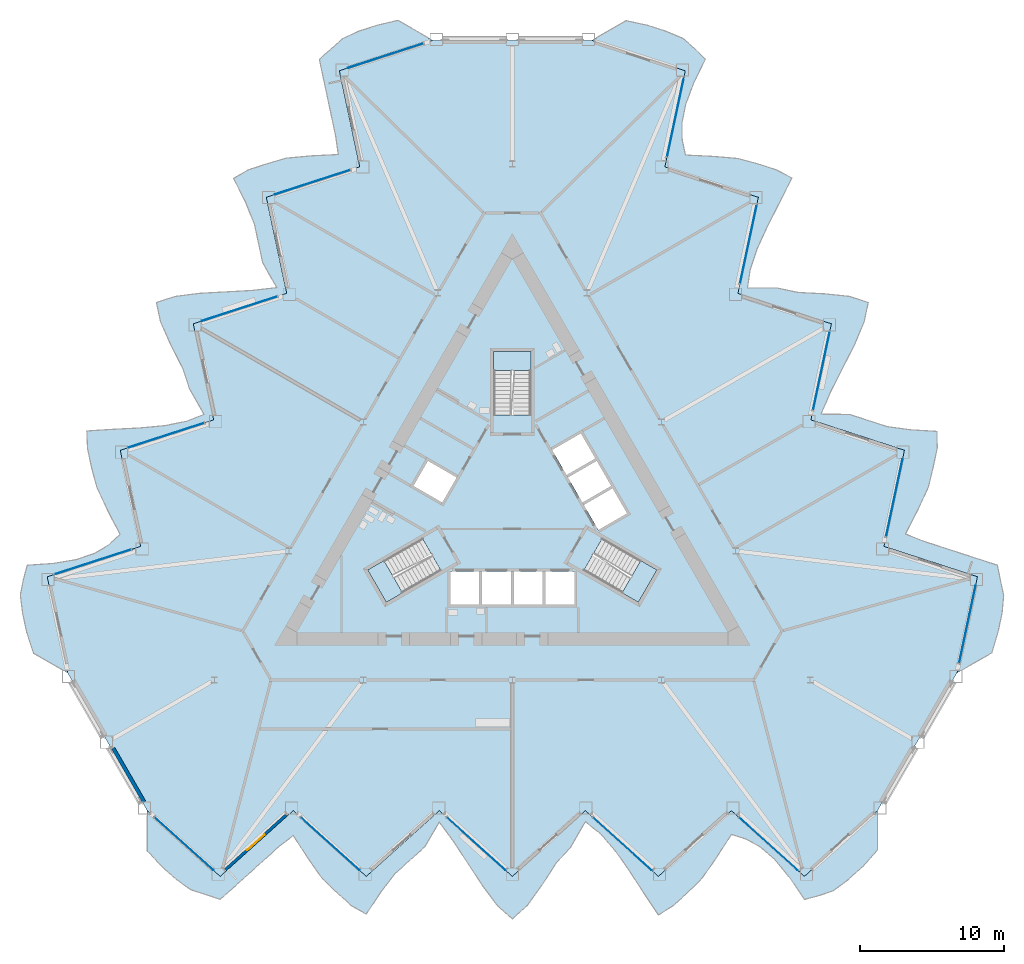
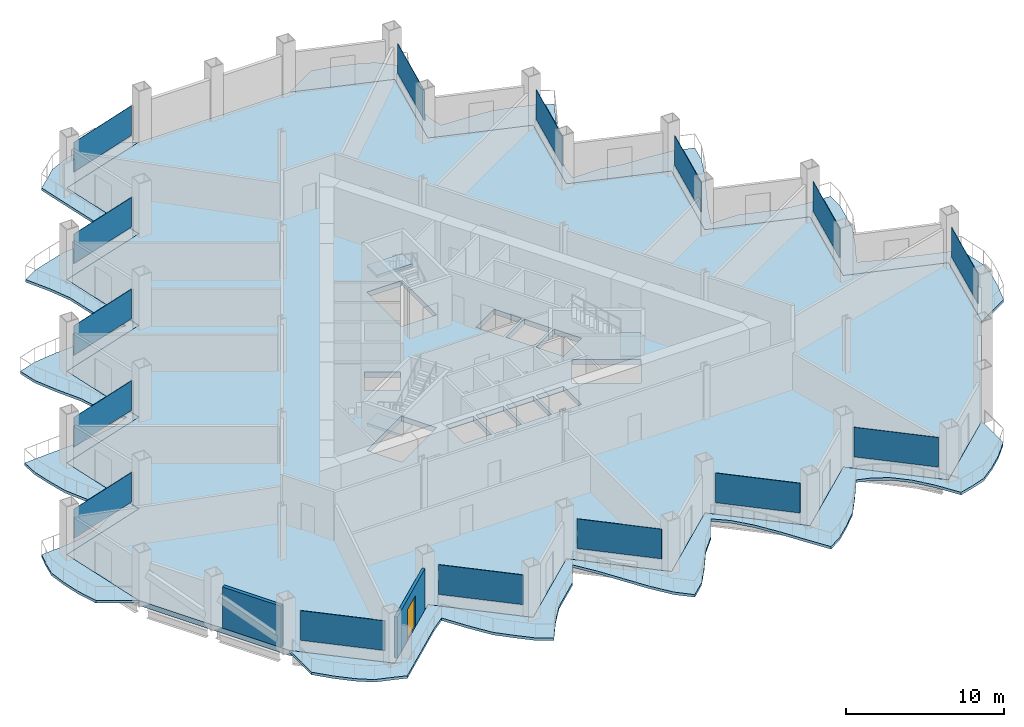
# One storey, part 9 of 21: 15 plates, 7 slabs, 2 walls, 1 door, 1 opening, 18 elements without a shape of their own.
"""IFC4 building model written with IfcOpenShell, lengths in metres."""

from ifc_helpers import new_model, si_unit, direction, frame, frame_2d, origin, origin_2d, place, context, subcontext, project, spatial, polyline, rectangle, outline, extrude, material, layer, layer_set, type_object, element, fill, aggregate, save


model = new_model("IFC4")

# Units and contexts
model_context = context("Model", 3, precision=1e-05, world=origin(), true_north=direction((0.0, 1.0)))
body_context = subcontext(model_context, "Body", "Model", "MODEL_VIEW")
ifc_project = project(units=[si_unit("LENGTHUNIT", "METRE"), si_unit("AREAUNIT", "SQUARE_METRE"), si_unit("VOLUMEUNIT", "CUBIC_METRE"), si_unit("PLANEANGLEUNIT", "RADIAN"), si_unit("MASSUNIT", "GRAM", prefix="KILO")], contexts=[model_context])

# Site, building, storey
site_placement = place(None, origin())
site = spatial("IfcSite", under=ifc_project, at=site_placement, CompositionType="ELEMENT")
building_placement = place(site_placement, origin())
building = spatial("IfcBuilding", under=site, at=building_placement, Name="Cormorant Prow Tower", CompositionType="ELEMENT")
storey_placement = place(building_placement, frame((0.0, 0.0, 137.39990234375)))
storey = spatial("IfcBuildingStorey", under=building, at=storey_placement, Name="L29", CompositionType="ELEMENT", Elevation=137.39990234375)

# Slabs
ifc_material_1 = material(Name="Concrete C40/50", Category="concrete")
ifc_layer_1 = layer(ifc_material_1, 0.199951171875)
ifc_layer_set_1 = layer_set([ifc_layer_1], Name="Concrete C40/50")
slab_type_1 = type_object("IfcSlabType", Name="Balcony slab 200", PredefinedType="FLOOR", material=ifc_layer_set_1)
slab_1_placement = place(storey_placement, frame((0.0, 0.0, -0.199951171875)))
element("IfcSlab", 1, at=slab_1_placement, inside=storey, type_object=slab_type_1, Name="Balcony slab S L29", PredefinedType="FLOOR", context=body_context, shape_type="SweptSolid", body=[
    extrude(outline(polyline([(-25.322509765625, -20.988037109375), (-25.322509765625, -23.77197265625), (-24.309814453125, -24.85009765625), (-23.296875, -25.761962890625), (-22.283935546875, -26.4765625), (-21.27099609375, -26.802978515625), (-20.258056640625, -27.148193359375), (-19.2451171875, -26.236083984375), (-18.232177734375, -25.323974609375), (-17.219482421875, -24.412109375), (-16.20654296875, -23.5), (-15.193603515625, -22.70703125), (-14.1806640625, -24.275146484375), (-13.167724609375, -25.71044921875), (-12.15478515625, -26.674072265625), (-11.141845703125, -27.586181640625), (-10.129150390625, -28.164794921875), (-9.1162109375, -26.63037109375), (-8.103271484375, -25.323974609375), (-7.09033203125, -24.412109375), (-6.077392578125, -23.5), (-5.064453125, -21.787841796875), (-4.051513671875, -23.156494140625), (-3.038818359375, -24.705078125), (-2.02587890625, -26.255615234375), (-1.012939453125, -27.586181640625), (0.0, -28.498046875), (1.012939453125, -27.586181640625), (2.02587890625, -26.191162109375), (3.038818359375, -24.631591796875), (4.051513671875, -23.5), (5.064453125, -21.7548828125), (6.077392578125, -22.55615234375), (7.09033203125, -23.705322265625), (8.103271484375, -25.13623046875), (9.1162109375, -26.703369140625), (10.129150390625, -28.223876953125), (11.141845703125, -27.586181640625), (12.15478515625, -26.674072265625), (13.167724609375, -25.66455078125), (14.1806640625, -24.206298828125), (15.193603515625, -22.634521484375), (16.20654296875, -22.957763671875), (17.219482421875, -23.5166015625), (18.232177734375, -24.40966796875), (19.2451171875, -25.642578125), (20.258056640625, -27.148193359375), (21.27099609375, -26.87451171875), (22.283935546875, -26.52880859375), (23.296875, -25.761962890625), (24.309814453125, -24.85009765625), (25.322509765625, -23.718505859375), (25.322509765625, -20.988037109375), (24.309814453125, -21.900146484375), (23.296875, -22.81201171875), (22.283935546875, -23.72412109375), (21.27099609375, -24.63623046875), (20.258056640625, -25.548095703125), (19.2451171875, -24.63623046875), (18.232177734375, -23.72412109375), (17.219482421875, -22.81201171875), (16.20654296875, -21.900146484375), (15.193603515625, -20.988037109375), (14.1806640625, -21.900146484375), (13.167724609375, -22.81201171875), (12.15478515625, -23.72412109375), (11.141845703125, -24.63623046875), (10.129150390625, -25.548095703125), (9.1162109375, -24.63623046875), (8.103271484375, -23.72412109375), (7.09033203125, -22.81201171875), (6.077392578125, -21.900146484375), (5.064453125, -20.988037109375), (4.051513671875, -21.900146484375), (3.038818359375, -22.81201171875), (2.02587890625, -23.72412109375), (1.012939453125, -24.63623046875), (0.0, -25.548095703125), (-1.012939453125, -24.63623046875), (-2.02587890625, -23.72412109375), (-3.038818359375, -22.81201171875), (-4.051513671875, -21.900146484375), (-5.064453125, -20.988037109375), (-6.077392578125, -21.900146484375), (-7.09033203125, -22.81201171875), (-8.103271484375, -23.72412109375), (-9.1162109375, -24.63623046875), (-10.129150390625, -25.548095703125), (-11.141845703125, -24.63623046875), (-12.15478515625, -23.72412109375), (-13.167724609375, -22.81201171875), (-14.1806640625, -21.900146484375), (-15.193603515625, -20.988037109375), (-16.20654296875, -21.900146484375), (-17.219482421875, -22.81201171875), (-18.232177734375, -23.72412109375), (-19.2451171875, -24.63623046875), (-20.258056640625, -25.548095703125), (-21.27099609375, -24.63623046875), (-22.283935546875, -23.72412109375), (-23.296875, -22.81201171875), (-24.309814453125, -21.900146484375), (-25.322509765625, -20.988037109375)])), origin(), (0.0, 0.0, 1.0), 0.199951171875),
])
slab_2_placement = place(storey_placement, frame((0.0, 0.0, -0.199951171875)))
element("IfcSlab", 2, at=slab_2_placement, inside=storey, type_object=slab_type_1, Name="Balcony slab ENE L29", PredefinedType="FLOOR", context=body_context, shape_type="SweptSolid", body=[
    extrude(outline(polyline([(30.83740234375, -11.43603515625), (33.248291015625, -10.0439453125), (33.675537109375, -8.627685546875), (33.958984375, -7.294677734375), (34.0712890625, -6.06005859375), (33.84765625, -5.019775390625), (33.64013671875, -3.969970703125), (32.34375, -3.548828125), (31.04736328125, -3.127685546875), (29.751220703125, -2.706298828125), (28.454833984375, -2.28515625), (27.26171875, -1.804443359375), (28.11328125, -0.143310546875), (28.849853515625, 1.45166015625), (29.177978515625, 2.810546875), (29.461181640625, 4.143798828125), (29.4560546875, 5.310546875), (27.62060546875, 5.42041015625), (25.98291015625, 5.64453125), (24.6865234375, 6.065673828125), (23.390380859375, 6.48681640625), (21.401123046875, 6.508056640625), (22.080078125, 8.069580078125), (22.91455078125, 9.720947265625), (23.7509765625, 11.37353515625), (24.396728515625, 12.915771484375), (24.68017578125, 14.2490234375), (23.3837890625, 14.670166015625), (21.66943359375, 14.85009765625), (19.812255859375, 14.947509765625), (18.325927734375, 15.2587890625), (16.30810546875, 15.263427734375), (16.49560546875, 16.541259765625), (16.984375, 17.9931640625), (17.717041015625, 19.585693359375), (18.56787109375, 21.24658203125), (19.378173828125, 22.884033203125), (18.3193359375, 23.4423828125), (17.02294921875, 23.863525390625), (15.642333984375, 24.23583984375), (13.873046875, 24.384033203125), (12.00537109375, 24.475341796875), (11.77880859375, 25.51416015625), (11.756103515625, 26.670654296875), (12.023193359375, 27.994384765625), (12.58447265625, 29.488037109375), (13.3818359375, 31.1181640625), (12.638427734375, 31.8583984375), (11.832763671875, 32.562744140625), (10.662109375, 33.056640625), (9.365966796875, 33.477783203125), (7.87939453125, 33.789306640625), (5.514892578125, 32.424072265625), (6.81103515625, 32.0029296875), (8.107421875, 31.58154296875), (9.40380859375, 31.160400390625), (10.699951171875, 30.7392578125), (11.996337890625, 30.318115234375), (11.712890625, 28.98486328125), (11.429443359375, 27.651611328125), (11.146240234375, 26.318359375), (10.86279296875, 24.9853515625), (10.579345703125, 23.652099609375), (11.875732421875, 23.230712890625), (13.171875, 22.8095703125), (14.46826171875, 22.388427734375), (15.7646484375, 21.96728515625), (17.060791015625, 21.546142578125), (16.77734375, 20.212890625), (16.494140625, 18.879638671875), (16.210693359375, 17.54638671875), (15.92724609375, 16.213134765625), (15.643798828125, 14.880126953125), (16.940185546875, 14.458740234375), (18.236572265625, 14.03759765625), (19.53271484375, 13.616455078125), (20.8291015625, 13.1953125), (22.125244140625, 12.774169921875), (21.842041015625, 11.44091796875), (21.55859375, 10.107666015625), (21.275146484375, 8.7744140625), (20.99169921875, 7.441162109375), (20.70849609375, 6.10791015625), (22.004638671875, 5.686767578125), (23.301025390625, 5.265625), (24.59716796875, 4.844482421875), (25.8935546875, 4.42333984375), (27.18994140625, 4.001953125), (26.906494140625, 2.6689453125), (26.623046875, 1.335693359375), (26.339599609375, 0.00244140625), (26.056396484375, -1.330810546875), (25.77294921875, -2.6640625), (27.0693359375, -3.085205078125), (28.365478515625, -3.50634765625), (29.661865234375, -3.927490234375), (30.9580078125, -4.348876953125), (32.25439453125, -4.77001953125), (31.970947265625, -6.103271484375), (31.6875, -7.436279296875), (31.404296875, -8.76953125), (31.120849609375, -10.102783203125), (30.83740234375, -11.43603515625)])), origin(), (0.0, 0.0, 1.0), 0.199951171875),
])
slab_3_placement = place(storey_placement, frame((0.0, 0.0, -0.199951171875)))
element("IfcSlab", 3, at=slab_3_placement, inside=storey, type_object=slab_type_1, Name="Balcony slab WNW L29", PredefinedType="FLOOR", context=body_context, shape_type="SweptSolid", body=[
    extrude(outline(polyline([(-5.514892578125, 32.424072265625), (-7.92578125, 33.81591796875), (-9.365966796875, 33.477783203125), (-10.662109375, 33.056640625), (-11.787353515625, 32.53662109375), (-12.57666015625, 31.82275390625), (-13.3818359375, 31.1181640625), (-13.0986328125, 29.784912109375), (-12.815185546875, 28.45166015625), (-12.53173828125, 27.118408203125), (-12.248291015625, 25.78515625), (-12.068115234375, 24.511474609375), (-13.9326171875, 24.41845703125), (-15.68212890625, 24.2587890625), (-17.02294921875, 23.863525390625), (-18.3193359375, 23.4423828125), (-19.326904296875, 22.8544921875), (-18.50439453125, 21.2099609375), (-17.879638671875, 19.6796875), (-17.59619140625, 18.346435546875), (-17.31298828125, 17.01318359375), (-16.336669921875, 15.280029296875), (-18.0283203125, 15.087158203125), (-19.8759765625, 14.984130859375), (-21.72509765625, 14.88232421875), (-23.3837890625, 14.670166015625), (-24.68017578125, 14.2490234375), (-24.396728515625, 12.915771484375), (-23.695068359375, 11.34130859375), (-22.85107421875, 9.684326171875), (-22.37744140625, 8.2412109375), (-21.37255859375, 6.491455078125), (-22.572998046875, 6.014892578125), (-24.07470703125, 5.71240234375), (-25.820068359375, 5.550537109375), (-27.683837890625, 5.45703125), (-29.507080078125, 5.33984375), (-29.461181640625, 4.143798828125), (-29.177978515625, 2.810546875), (-28.81005859375, 1.4287109375), (-28.0537109375, -0.177490234375), (-27.198974609375, -1.8408203125), (-27.985107421875, -2.556396484375), (-28.9755859375, -3.154052734375), (-30.255615234375, -3.584716796875), (-31.82958984375, -3.845458984375), (-33.64013671875, -3.969970703125), (-33.909423828125, -4.984130859375), (-34.11669921875, -6.033935546875), (-33.958984375, -7.294677734375), (-33.675537109375, -8.627685546875), (-33.2021484375, -10.07080078125), (-30.83740234375, -11.43603515625), (-31.120849609375, -10.102783203125), (-31.404296875, -8.76953125), (-31.6875, -7.436279296875), (-31.970947265625, -6.103271484375), (-32.25439453125, -4.77001953125), (-30.9580078125, -4.348876953125), (-29.661865234375, -3.927490234375), (-28.365478515625, -3.50634765625), (-27.0693359375, -3.085205078125), (-25.77294921875, -2.6640625), (-26.056396484375, -1.330810546875), (-26.339599609375, 0.00244140625), (-26.623046875, 1.335693359375), (-26.906494140625, 2.6689453125), (-27.18994140625, 4.001953125), (-25.8935546875, 4.42333984375), (-24.59716796875, 4.844482421875), (-23.301025390625, 5.265625), (-22.004638671875, 5.686767578125), (-20.70849609375, 6.10791015625), (-20.99169921875, 7.441162109375), (-21.275146484375, 8.7744140625), (-21.55859375, 10.107666015625), (-21.842041015625, 11.44091796875), (-22.125244140625, 12.774169921875), (-20.8291015625, 13.1953125), (-19.53271484375, 13.616455078125), (-18.236572265625, 14.03759765625), (-16.940185546875, 14.458740234375), (-15.643798828125, 14.880126953125), (-15.92724609375, 16.213134765625), (-16.210693359375, 17.54638671875), (-16.494140625, 18.879638671875), (-16.77734375, 20.212890625), (-17.060791015625, 21.546142578125), (-15.7646484375, 21.96728515625), (-14.46826171875, 22.388427734375), (-13.171875, 22.8095703125), (-11.875732421875, 23.230712890625), (-10.579345703125, 23.652099609375), (-10.86279296875, 24.9853515625), (-11.146240234375, 26.318359375), (-11.429443359375, 27.651611328125), (-11.712890625, 28.98486328125), (-11.996337890625, 30.318115234375), (-10.699951171875, 30.7392578125), (-9.40380859375, 31.160400390625), (-8.107421875, 31.58154296875), (-6.81103515625, 32.0029296875), (-5.514892578125, 32.424072265625)])), origin(), (0.0, 0.0, 1.0), 0.199951171875),
])

# Curtain wall, plate
ifc_material_2 = material(Name="Aluminium 6063-T6", Category="aluminium")
ifc_layer_2 = layer(ifc_material_2, 0.199951171875)
ifc_layer_set_2 = layer_set([ifc_layer_2], Name="Aluminium 6063-T6")
curtain_wall_type = type_object("IfcCurtainWallType", Name="Office unitised curtain wall 200", PredefinedType="NOTDEFINED", material=ifc_layer_set_2)
curtain_wall_1_placement = place(storey_placement, origin())
curtain_wall_1 = element("IfcCurtainWall", 4, at=curtain_wall_1_placement, inside=storey, type_object=curtain_wall_type, Name="Office curtain wall S00", PredefinedType="NOTDEFINED")
ifc_material_3 = material(Name="Clear glass", Category="glass")
ifc_layer_3 = layer(ifc_material_3, 0.031982421875)
ifc_layer_set_3 = layer_set([ifc_layer_3], Name="Clear glass")
plate_type = type_object("IfcPlateType", Name="Office glass panel 32", PredefinedType="CURTAIN_PANEL", material=ifc_layer_set_3)
plate_1_placement = place(storey_placement, frame((-22.76806640625, -23.2880859375, 0.89990234375), z_axis=(0.0, 0.0, 1.0), x_axis=(0.743144846674, -0.669130582818, 0.0)))
plate_1 = element("IfcPlate", 5, at=plate_1_placement, type_object=plate_type, Name="Office glass panel S00", PredefinedType="CURTAIN_PANEL", context=body_context, shape_type="SweptSolid", body=[
    extrude(rectangle(XDim=5.48291015625, YDim=0.031982421875, at=origin_2d()), origin(), (0.0, 0.0, 1.0), 2.288818359375),
])
aggregate(curtain_wall_1, [plate_1])

curtain_wall_2_placement = place(storey_placement, origin())
curtain_wall_2 = element("IfcCurtainWall", 6, at=curtain_wall_2_placement, inside=storey, type_object=curtain_wall_type, Name="Office curtain wall S02", PredefinedType="NOTDEFINED")
plate_2_placement = place(storey_placement, frame((-12.638916015625, -23.2880859375, 0.89990234375), z_axis=(0.0, 0.0, 1.0), x_axis=(0.743144912366, -0.66913050986, 0.0)))
plate_2 = element("IfcPlate", 7, at=plate_2_placement, type_object=plate_type, Name="Office glass panel S02", PredefinedType="CURTAIN_PANEL", context=body_context, shape_type="SweptSolid", body=[
    extrude(rectangle(XDim=5.48291015625, YDim=0.031982421875, at=origin_2d()), origin(), (0.0, 0.0, 1.0), 2.288818359375),
])
aggregate(curtain_wall_2, [plate_2])

curtain_wall_3_placement = place(storey_placement, origin())
curtain_wall_3 = element("IfcCurtainWall", 8, at=curtain_wall_3_placement, inside=storey, type_object=curtain_wall_type, Name="Office curtain wall S04", PredefinedType="NOTDEFINED")
plate_3_placement = place(storey_placement, frame((-2.510009765625, -23.2880859375, 0.89990234375), z_axis=(0.0, 0.0, 1.0), x_axis=(0.743144846674, -0.669130582818, 0.0)))
plate_3 = element("IfcPlate", 9, at=plate_3_placement, type_object=plate_type, Name="Office glass panel S04", PredefinedType="CURTAIN_PANEL", context=body_context, shape_type="SweptSolid", body=[
    extrude(rectangle(XDim=5.48291015625, YDim=0.031982421875, at=origin_2d()), origin(), (0.0, 0.0, 1.0), 2.288818359375),
])
aggregate(curtain_wall_3, [plate_3])

curtain_wall_4_placement = place(storey_placement, origin())
curtain_wall_4 = element("IfcCurtainWall", 10, at=curtain_wall_4_placement, inside=storey, type_object=curtain_wall_type, Name="Office curtain wall S06", PredefinedType="NOTDEFINED")
plate_4_placement = place(storey_placement, frame((7.619140625, -23.2880859375, 0.89990234375), z_axis=(0.0, 0.0, 1.0), x_axis=(0.743144846674, -0.669130582818, 0.0)))
plate_4 = element("IfcPlate", 11, at=plate_4_placement, type_object=plate_type, Name="Office glass panel S06", PredefinedType="CURTAIN_PANEL", context=body_context, shape_type="SweptSolid", body=[
    extrude(rectangle(XDim=5.48291015625, YDim=0.031982421875, at=origin_2d()), origin(), (0.0, 0.0, 1.0), 2.288818359375),
])
aggregate(curtain_wall_4, [plate_4])

curtain_wall_5_placement = place(storey_placement, origin())
curtain_wall_5 = element("IfcCurtainWall", 12, at=curtain_wall_5_placement, inside=storey, type_object=curtain_wall_type, Name="Office curtain wall S08", PredefinedType="NOTDEFINED")
plate_5_placement = place(storey_placement, frame((17.748046875, -23.2880859375, 0.89990234375), z_axis=(0.0, 0.0, 1.0), x_axis=(0.743144846674, -0.669130582818, 0.0)))
plate_5 = element("IfcPlate", 13, at=plate_5_placement, type_object=plate_type, Name="Office glass panel S08", PredefinedType="CURTAIN_PANEL", context=body_context, shape_type="SweptSolid", body=[
    extrude(rectangle(XDim=5.48291015625, YDim=0.031982421875, at=origin_2d()), origin(), (0.0, 0.0, 1.0), 2.288818359375),
])
aggregate(curtain_wall_5, [plate_5])

curtain_wall_6_placement = place(storey_placement, origin())
curtain_wall_6 = element("IfcCurtainWall", 14, at=curtain_wall_6_placement, inside=storey, type_object=curtain_wall_type, Name="Office curtain wall ENE00", PredefinedType="NOTDEFINED")
plate_6_placement = place(storey_placement, frame((31.55224609375, -8.07373046875, 0.89990234375), z_axis=(0.0, 0.0, 1.0), x_axis=(0.207911719806, 0.978147594572, 0.0)))
plate_6 = element("IfcPlate", 15, at=plate_6_placement, type_object=plate_type, Name="Office glass panel ENE00", PredefinedType="CURTAIN_PANEL", context=body_context, shape_type="SweptSolid", body=[
    extrude(rectangle(XDim=5.48291015625, YDim=0.031982421875, at=origin_2d()), origin(), (0.0, 0.0, 1.0), 2.288818359375),
])
aggregate(curtain_wall_6, [plate_6])

curtain_wall_7_placement = place(storey_placement, origin())
curtain_wall_7 = element("IfcCurtainWall", 16, at=curtain_wall_7_placement, inside=storey, type_object=curtain_wall_type, Name="Office curtain wall ENE02", PredefinedType="NOTDEFINED")
plate_7_placement = place(storey_placement, frame((26.487548828125, 0.698486328125, 0.89990234375), z_axis=(0.0, 0.0, 1.0), x_axis=(0.207911719806, 0.978147594572, 0.0)))
plate_7 = element("IfcPlate", 17, at=plate_7_placement, type_object=plate_type, Name="Office glass panel ENE02", PredefinedType="CURTAIN_PANEL", context=body_context, shape_type="SweptSolid", body=[
    extrude(rectangle(XDim=5.48291015625, YDim=0.031982421875, at=origin_2d()), origin(), (0.0, 0.0, 1.0), 2.288818359375),
])
aggregate(curtain_wall_7, [plate_7])

curtain_wall_8_placement = place(storey_placement, origin())
curtain_wall_8 = element("IfcCurtainWall", 18, at=curtain_wall_8_placement, inside=storey, type_object=curtain_wall_type, Name="Office curtain wall ENE04", PredefinedType="NOTDEFINED")
plate_8_placement = place(storey_placement, frame((21.423095703125, 9.470458984375, 0.89990234375), z_axis=(0.0, 0.0, 1.0), x_axis=(0.207911689964, 0.978147600915, 0.0)))
plate_8 = element("IfcPlate", 19, at=plate_8_placement, type_object=plate_type, Name="Office glass panel ENE04", PredefinedType="CURTAIN_PANEL", context=body_context, shape_type="SweptSolid", body=[
    extrude(rectangle(XDim=5.48291015625, YDim=0.031982421875, at=origin_2d()), origin(), (0.0, 0.0, 1.0), 2.288818359375),
])
aggregate(curtain_wall_8, [plate_8])

curtain_wall_9_placement = place(storey_placement, origin())
curtain_wall_9 = element("IfcCurtainWall", 20, at=curtain_wall_9_placement, inside=storey, type_object=curtain_wall_type, Name="Office curtain wall ENE06", PredefinedType="NOTDEFINED")
plate_9_placement = place(storey_placement, frame((16.358642578125, 18.242431640625, 0.89990234375), z_axis=(0.0, 0.0, 1.0), x_axis=(0.207911719806, 0.978147594572, 0.0)))
plate_9 = element("IfcPlate", 21, at=plate_9_placement, type_object=plate_type, Name="Office glass panel ENE06", PredefinedType="CURTAIN_PANEL", context=body_context, shape_type="SweptSolid", body=[
    extrude(rectangle(XDim=5.48291015625, YDim=0.031982421875, at=origin_2d()), origin(), (0.0, 0.0, 1.0), 2.288818359375),
])
aggregate(curtain_wall_9, [plate_9])

curtain_wall_10_placement = place(storey_placement, origin())
curtain_wall_10 = element("IfcCurtainWall", 22, at=curtain_wall_10_placement, inside=storey, type_object=curtain_wall_type, Name="Office curtain wall ENE08", PredefinedType="NOTDEFINED")
plate_10_placement = place(storey_placement, frame((11.294189453125, 27.014404296875, 0.89990234375), z_axis=(0.0, 0.0, 1.0), x_axis=(0.207911719806, 0.978147594572, 0.0)))
plate_10 = element("IfcPlate", 23, at=plate_10_placement, type_object=plate_type, Name="Office glass panel ENE08", PredefinedType="CURTAIN_PANEL", context=body_context, shape_type="SweptSolid", body=[
    extrude(rectangle(XDim=5.48291015625, YDim=0.031982421875, at=origin_2d()), origin(), (0.0, 0.0, 1.0), 2.288818359375),
])
aggregate(curtain_wall_10, [plate_10])

curtain_wall_11_placement = place(storey_placement, origin())
curtain_wall_11 = element("IfcCurtainWall", 24, at=curtain_wall_11_placement, inside=storey, type_object=curtain_wall_type, Name="Office curtain wall WNW00", PredefinedType="NOTDEFINED")
plate_11_placement = place(storey_placement, frame((-8.7841796875, 31.36181640625, 0.89990234375), z_axis=(0.0, 0.0, 1.0), x_axis=(-0.951056511608, -0.3090170088, 0.0)))
plate_11 = element("IfcPlate", 25, at=plate_11_placement, type_object=plate_type, Name="Office glass panel WNW00", PredefinedType="CURTAIN_PANEL", context=body_context, shape_type="SweptSolid", body=[
    extrude(rectangle(XDim=5.48291015625, YDim=0.031982421875, at=origin_2d()), origin(), (0.0, 0.0, 1.0), 2.288818359375),
])
aggregate(curtain_wall_11, [plate_11])

curtain_wall_12_placement = place(storey_placement, origin())
curtain_wall_12 = element("IfcCurtainWall", 26, at=curtain_wall_12_placement, inside=storey, type_object=curtain_wall_type, Name="Office curtain wall WNW02", PredefinedType="NOTDEFINED")
plate_12_placement = place(storey_placement, frame((-13.8486328125, 22.58984375, 0.89990234375), z_axis=(0.0, 0.0, 1.0), x_axis=(-0.951056511608, -0.3090170088, 0.0)))
plate_12 = element("IfcPlate", 27, at=plate_12_placement, type_object=plate_type, Name="Office glass panel WNW02", PredefinedType="CURTAIN_PANEL", context=body_context, shape_type="SweptSolid", body=[
    extrude(rectangle(XDim=5.48291015625, YDim=0.031982421875, at=origin_2d()), origin(), (0.0, 0.0, 1.0), 2.288818359375),
])
aggregate(curtain_wall_12, [plate_12])

curtain_wall_13_placement = place(storey_placement, origin())
curtain_wall_13 = element("IfcCurtainWall", 28, at=curtain_wall_13_placement, inside=storey, type_object=curtain_wall_type, Name="Office curtain wall WNW04", PredefinedType="NOTDEFINED")
plate_13_placement = place(storey_placement, frame((-18.9130859375, 13.81787109375, 0.89990234375), z_axis=(0.0, 0.0, 1.0), x_axis=(-0.951056511608, -0.3090170088, 0.0)))
plate_13 = element("IfcPlate", 29, at=plate_13_placement, type_object=plate_type, Name="Office glass panel WNW04", PredefinedType="CURTAIN_PANEL", context=body_context, shape_type="SweptSolid", body=[
    extrude(rectangle(XDim=5.48291015625, YDim=0.031982421875, at=origin_2d()), origin(), (0.0, 0.0, 1.0), 2.288818359375),
])
aggregate(curtain_wall_13, [plate_13])

curtain_wall_14_placement = place(storey_placement, origin())
curtain_wall_14 = element("IfcCurtainWall", 30, at=curtain_wall_14_placement, inside=storey, type_object=curtain_wall_type, Name="Office curtain wall WNW06", PredefinedType="NOTDEFINED")
plate_14_placement = place(storey_placement, frame((-23.977783203125, 5.045654296875, 0.89990234375), z_axis=(0.0, 0.0, 1.0), x_axis=(-0.951056511608, -0.3090170088, 0.0)))
plate_14 = element("IfcPlate", 31, at=plate_14_placement, type_object=plate_type, Name="Office glass panel WNW06", PredefinedType="CURTAIN_PANEL", context=body_context, shape_type="SweptSolid", body=[
    extrude(rectangle(XDim=5.48291015625, YDim=0.031982421875, at=origin_2d()), origin(), (0.0, 0.0, 1.0), 2.288818359375),
])
aggregate(curtain_wall_14, [plate_14])

curtain_wall_15_placement = place(storey_placement, origin())
curtain_wall_15 = element("IfcCurtainWall", 32, at=curtain_wall_15_placement, inside=storey, type_object=curtain_wall_type, Name="Office curtain wall WNW08", PredefinedType="NOTDEFINED")
plate_15_placement = place(storey_placement, frame((-29.042236328125, -3.726318359375, 0.89990234375), z_axis=(0.0, 0.0, 1.0), x_axis=(-0.951056511608, -0.3090170088, 0.0)))
plate_15 = element("IfcPlate", 33, at=plate_15_placement, type_object=plate_type, Name="Office glass panel WNW08", PredefinedType="CURTAIN_PANEL", context=body_context, shape_type="SweptSolid", body=[
    extrude(rectangle(XDim=5.48291015625, YDim=0.031982421875, at=origin_2d()), origin(), (0.0, 0.0, 1.0), 2.288818359375),
])
aggregate(curtain_wall_15, [plate_15])

# Slab
ifc_material_4 = material(Name="Concrete C40/50", Category="concrete")
ifc_layer_4 = layer(ifc_material_4, 0.39990234375)
ifc_layer_set_4 = layer_set([ifc_layer_4], Name="Concrete C40/50")
slab_type_2 = type_object("IfcSlabType", Name="Post-tensioned flat slab 400", PredefinedType="FLOOR", material=ifc_layer_set_4)
slab_4_placement = place(storey_placement, frame((0.0, 0.0, -0.39990234375)))
element("IfcSlab", 34, at=slab_4_placement, inside=storey, type_object=slab_type_2, Name="Floor slab L29", PredefinedType="FLOOR", context=body_context, shape_type="SweptSolid", body=[
    extrude(outline(polyline([(-11.996337890625, 30.318115234375), (-10.579345703125, 23.652099609375), (-17.060791015625, 21.546142578125), (-15.643798828125, 14.880126953125), (-22.125244140625, 12.774169921875), (-20.70849609375, 6.10791015625), (-27.18994140625, 4.001953125), (-25.77294921875, -2.6640625), (-32.25439453125, -4.77001953125), (-30.83740234375, -11.43603515625), (-28.080078125, -16.2119140625), (-25.322509765625, -20.988037109375), (-20.258056640625, -25.548095703125), (-15.193603515625, -20.988037109375), (-10.129150390625, -25.548095703125), (-5.064453125, -20.988037109375), (0.0, -25.548095703125), (5.064453125, -20.988037109375), (10.129150390625, -25.548095703125), (15.193603515625, -20.988037109375), (20.258056640625, -25.548095703125), (25.322509765625, -20.988037109375), (28.080078125, -16.2119140625), (30.83740234375, -11.43603515625), (32.25439453125, -4.77001953125), (25.77294921875, -2.6640625), (27.18994140625, 4.001953125), (20.70849609375, 6.10791015625), (22.125244140625, 12.774169921875), (15.643798828125, 14.880126953125), (17.060791015625, 21.546142578125), (10.579345703125, 23.652099609375), (11.996337890625, 30.318115234375), (5.514892578125, 32.424072265625), (0.0, 32.424072265625), (-5.514892578125, 32.424072265625), (-11.996337890625, 30.318115234375)]), holes=[polyline([(-4.300048828125, -6.699951171875), (-4.300048828125, -4.39990234375), (-2.300048828125, -4.39990234375), (-2.300048828125, -6.699951171875), (-4.300048828125, -6.699951171875)]), polyline([(-2.10009765625, -4.39990234375), (-0.10009765625, -4.39990234375), (-0.10009765625, -6.699951171875), (-2.10009765625, -6.699951171875), (-2.10009765625, -4.39990234375)]), polyline([(2.10009765625, -4.39990234375), (2.10009765625, -6.699951171875), (0.10009765625, -6.699951171875), (0.10009765625, -4.39990234375), (2.10009765625, -4.39990234375)]), polyline([(4.300048828125, -6.699951171875), (2.300048828125, -6.699951171875), (2.300048828125, -4.39990234375), (4.300048828125, -4.39990234375), (4.300048828125, -6.699951171875)]), polyline([(7.952392578125, -0.373779296875), (5.96044921875, -1.52392578125), (4.96044921875, 0.2080078125), (6.952392578125, 1.358154296875), (7.952392578125, -0.373779296875)]), polyline([(4.860595703125, 0.38134765625), (3.860595703125, 2.11328125), (5.852294921875, 3.263427734375), (6.852294921875, 1.53125), (4.860595703125, 0.38134765625)]), polyline([(2.760498046875, 4.018798828125), (4.75244140625, 5.168701171875), (5.75244140625, 3.4365234375), (3.760498046875, 2.28662109375), (2.760498046875, 4.018798828125)]), polyline([(-6.852294921875, 1.53125), (-5.852294921875, 3.263427734375), (-3.860595703125, 2.11328125), (-4.860595703125, 0.38134765625), (-6.852294921875, 1.53125)]), polyline([(-4.947509765625, -4.3505859375), (-8.738037109375, -6.5390625), (-10.031982421875, -4.2978515625), (-6.241455078125, -2.109375), (-4.947509765625, -4.3505859375)]), polyline([(10.031982421875, -4.2978515625), (8.738037109375, -6.5390625), (4.947509765625, -4.3505859375), (6.241455078125, -2.109375), (10.031982421875, -4.2978515625)]), polyline([(1.2939453125, 10.8369140625), (1.2939453125, 6.459716796875), (-1.2939453125, 6.459716796875), (-1.2939453125, 10.8369140625), (1.2939453125, 10.8369140625)])]), origin(), (0.0, 0.0, 1.0), 0.39990234375),
])

# Stair, slab
ifc_material_5 = material(Name="Exit stair 24 risers")
stair_type = type_object("IfcStairType", Name="Exit stair 24 risers", PredefinedType="HALF_TURN_STAIR", material=ifc_material_5)
stair_1_placement = place(storey_placement, origin())
stair_1 = element("IfcStair", 35, at=stair_1_placement, inside=storey, type_object=stair_type, Name="L29 Exit stair ST1", PredefinedType="HALF_TURN_STAIR")
ifc_material_6 = material(Name="Concrete 5000 psi", Category="concrete")
ifc_layer_5 = layer(ifc_material_6, 0.199951171875)
ifc_layer_set_5 = layer_set([ifc_layer_5], Name="Concrete 5000 psi")
slab_type_3 = type_object("IfcSlabType", Name="Stair landing 200", PredefinedType="LANDING", material=ifc_layer_set_5)
slab_5_placement = place(storey_placement, frame((0.0, 0.0, 1.900146484375)))
slab_5 = element("IfcSlab", 36, at=slab_5_placement, type_object=slab_type_3, Name="ST1 landing 1", PredefinedType="LANDING", context=body_context, shape_type="SweptSolid", body=[
    extrude(outline(polyline([(-8.90185546875, -3.645263671875), (-10.031982421875, -4.2978515625), (-8.738037109375, -6.5390625), (-7.60791015625, -5.886474609375), (-8.90185546875, -3.645263671875)])), origin(), (0.0, 0.0, 1.0), 0.199951171875),
])
aggregate(stair_1, [slab_5])

stair_2_placement = place(storey_placement, origin())
stair_2 = element("IfcStair", 37, at=stair_2_placement, inside=storey, type_object=stair_type, Name="L29 Exit stair ST2", PredefinedType="HALF_TURN_STAIR")
slab_6_placement = place(storey_placement, frame((0.0, 0.0, 1.900146484375)))
slab_6 = element("IfcSlab", 38, at=slab_6_placement, type_object=slab_type_3, Name="ST2 landing 1", PredefinedType="LANDING", context=body_context, shape_type="SweptSolid", body=[
    extrude(outline(polyline([(7.60791015625, -5.886474609375), (8.738037109375, -6.5390625), (10.031982421875, -4.2978515625), (8.90185546875, -3.645263671875), (7.60791015625, -5.886474609375)])), origin(), (0.0, 0.0, 1.0), 0.199951171875),
])
aggregate(stair_2, [slab_6])

stair_3_placement = place(storey_placement, origin())
stair_3 = element("IfcStair", 39, at=stair_3_placement, inside=storey, type_object=stair_type, Name="L29 Exit stair ST3", PredefinedType="HALF_TURN_STAIR")
slab_7_placement = place(storey_placement, frame((0.0, 0.0, 1.900146484375)))
slab_7 = element("IfcSlab", 40, at=slab_7_placement, type_object=slab_type_3, Name="ST3 landing 1", PredefinedType="LANDING", context=body_context, shape_type="SweptSolid", body=[
    extrude(outline(polyline([(1.2939453125, 9.53173828125), (1.2939453125, 10.8369140625), (-1.2939453125, 10.8369140625), (-1.2939453125, 9.53173828125), (1.2939453125, 9.53173828125)])), origin(), (0.0, 0.0, 1.0), 0.199951171875),
])
aggregate(stair_3, [slab_7])

# Wall
ifc_material_7 = material(Name="Terracotta", Category="masonry")
ifc_layer_6 = layer(ifc_material_7, 0.25)
ifc_layer_set_6 = layer_set([ifc_layer_6], Name="Terracotta")
wall_type_1 = type_object("IfcWallType", Name="Terracotta bay wall 250", PredefinedType="SOLIDWALL", material=ifc_layer_set_6)
wall_1_placement = place(storey_placement, frame((-27.672119140625, -16.66845703125, 0.0), z_axis=(0.0, 0.0, 1.0), x_axis=(0.500010506321, -0.866019337872, 0.0)))
element("IfcWall", 41, at=wall_1_placement, inside=storey, type_object=wall_type_1, Name="Terracotta bay wall WSW01", PredefinedType="SOLIDWALL", context=body_context, shape_type="SweptSolid", body=[
    extrude(rectangle(XDim=4.27978515625, YDim=0.25, at=frame_2d((2.139892578125, 0.0))), origin(), (0.0, 0.0, 1.0), 3.18896484375),
])

# Wall, opening, door
ifc_material_8 = material(Name="Terracotta", Category="masonry")
ifc_layer_7 = layer(ifc_material_8, 0.199951171875)
ifc_layer_set_7 = layer_set([ifc_layer_7], Name="Terracotta")
wall_type_2 = type_object("IfcWallType", Name="Terracotta jamb wall 200", PredefinedType="SOLIDWALL", material=ifc_layer_set_7)
wall_2_placement = place(storey_placement, frame((-19.896240234375, -25.087646484375, 0.0), z_axis=(0.0, 0.0, 1.0), x_axis=(0.743158804828, 0.669115080391, 0.0)))
wall_2 = element("IfcWall", 42, at=wall_2_placement, inside=storey, type_object=wall_type_2, Name="Terracotta jamb wall S01", PredefinedType="SOLIDWALL", context=body_context, shape_type="SweptSolid", body=[
    extrude(rectangle(XDim=5.6513671875, YDim=0.199951171875, at=frame_2d((2.82568359375, 0.0))), origin(), (0.0, 0.0, 1.0), 3.18896484375),
])
opening_placement = place(wall_2_placement, frame((2.030517578125, 0.0, 0.0)))
opening = element("IfcOpeningElement", 43, at=opening_placement, cuts=wall_2, Name="Opening ED29.01", PredefinedType="OPENING", context=body_context, shape_type="SweptSolid", body=[
    extrude(rectangle(XDim=1.60009765625, YDim=2.39990234375, at=frame_2d((0.800048828125, 1.199951171875))), frame((0.0, 0.10986328125, 0.0), z_axis=(0.0, -1.0, 0.0), x_axis=(1.0, 0.0, 0.0)), (0.0, 0.0, 1.0), 0.219970703125),
])
ifc_material_9 = material(Name="Aluminium 6063-T6", Category="aluminium")
door_type = type_object("IfcDoorType", Name="Balcony door 1600x2400", OperationType="DOUBLE_DOOR_SINGLE_SWING", PredefinedType="DOOR", material=ifc_material_9)
door_placement = place(opening_placement, origin())
door = element("IfcDoor", 44, at=door_placement, inside=storey, type_object=door_type, Name="Balcony door S01 ED29.01", OperationType="DOUBLE_DOOR_SINGLE_SWING", OverallHeight=2.39990234375, OverallWidth=1.60009765625, PredefinedType="DOOR", context=body_context, shape_type="SweptSolid", body=[
    extrude(rectangle(XDim=1.60009765625, YDim=2.39990234375, at=frame_2d((0.800048828125, 1.199951171875))), frame((0.0, 0.02490234375, 0.0), z_axis=(0.0, -1.0, 0.0), x_axis=(1.0, 0.0, 0.0)), (0.0, 0.0, 1.0), 0.050048828125),
])
fill(opening, door)

save(model, "model.ifc")
